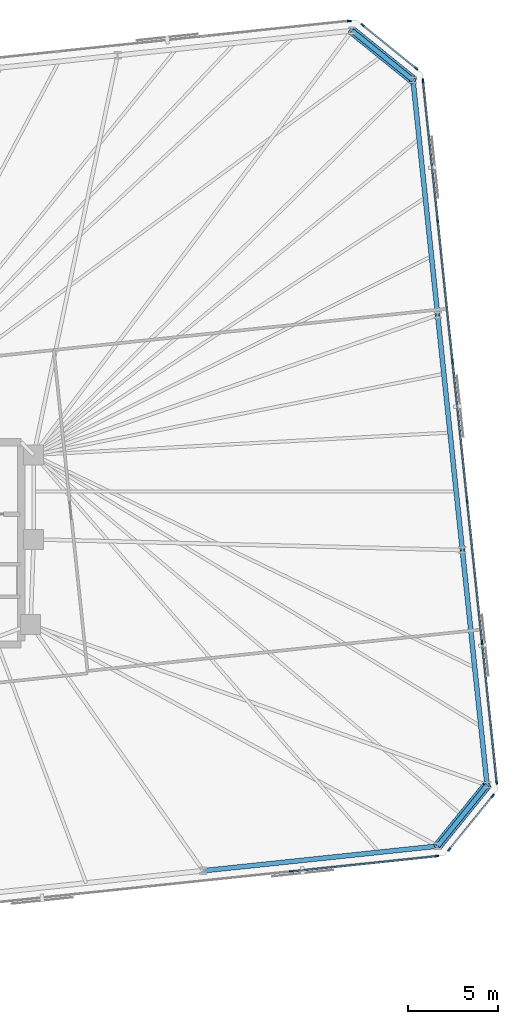
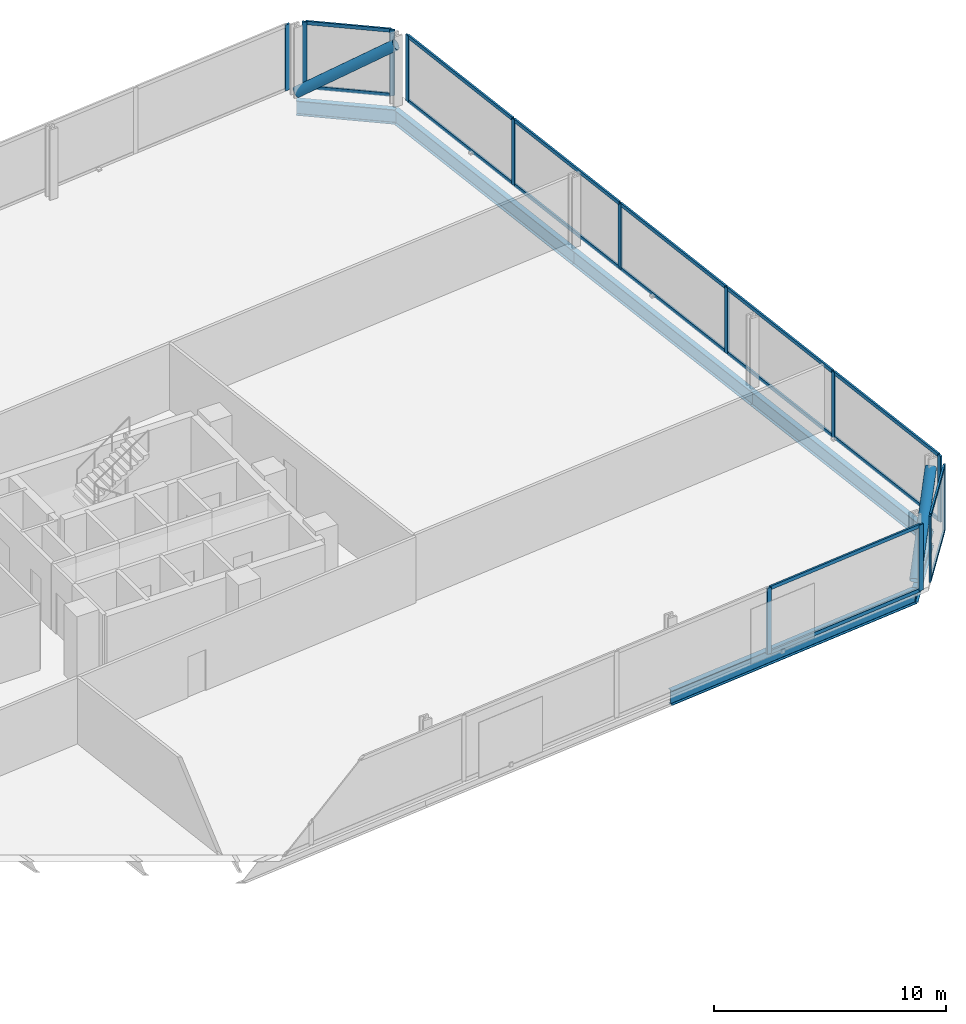
# One storey, part 12 of 17: 31 members, 6 beams, 5 elements without a shape of their own.
"""IFC4 building model written with IfcOpenShell, lengths in metres."""

from ifc_helpers import new_model, si_unit, direction, frame, origin, origin_2d, place, context, subcontext, project, spatial, rectangle, hollow_circle, i_section, extrude, material, material_profile, profile_set, type_object, element, aggregate, save


model = new_model("IFC4")

# Units and contexts
model_context = context("Model", 3, precision=1e-05, world=origin(), true_north=direction((0.0, 1.0)))
body_context = subcontext(model_context, "Body", "Model", "MODEL_VIEW")
ifc_project = project(units=[si_unit("LENGTHUNIT", "METRE"), si_unit("AREAUNIT", "SQUARE_METRE"), si_unit("VOLUMEUNIT", "CUBIC_METRE"), si_unit("PLANEANGLEUNIT", "RADIAN"), si_unit("MASSUNIT", "GRAM", prefix="KILO")], contexts=[model_context])

# Site, building, storey
site_placement = place(None, origin())
site = spatial("IfcSite", under=ifc_project, at=site_placement, CompositionType="ELEMENT")
building_placement = place(site_placement, origin())
building = spatial("IfcBuilding", under=site, at=building_placement, Name="Menara Jurai Vektor", CompositionType="ELEMENT")
storey_placement = place(building_placement, frame((0.0, 0.0, 87.39990234375)))
storey = spatial("IfcBuildingStorey", under=building, at=storey_placement, Name="L21", CompositionType="ELEMENT", Elevation=87.39990234375)

# Curtain wall, members
ifc_material_1 = material(Name="Anodised Pale Aluminium & Low-E Double Glazing", Category="aluminium")
curtain_wall_type = type_object("IfcCurtainWallType", Name="CW-BLK2", PredefinedType="NOTDEFINED", material=ifc_material_1)
curtain_wall_1_placement = place(storey_placement, origin())
curtain_wall_1 = element("IfcCurtainWall", 1, at=curtain_wall_1_placement, inside=storey, type_object=curtain_wall_type, Name="Unitised Curtain Wall L21 F01", PredefinedType="NOTDEFINED")
ifc_material_2 = material(Name="Anodised Pale Aluminium Mullion", Category="aluminium")
ifc_material_profile_1 = material_profile(ifc_material_2, rectangle(XDim=0.090087890625, YDim=0.219970703125, at=origin_2d()), Name="ALU MUL 90x220")
ifc_profile_set_1 = profile_set([ifc_material_profile_1], Name="Anodised Pale Aluminium Mullion")
member_type_1 = type_object("IfcMemberType", Name="CW-BLK2-MUL", PredefinedType="MULLION", material=ifc_profile_set_1)
member_1_placement = place(storey_placement, frame((29.52392578125, -18.169189453125, 0.0), z_axis=(0.0, 0.0, 1.0), x_axis=(-0.104528634935, 0.994521877325, 0.0)))
member_1 = element("IfcMember", 2, at=member_1_placement, type_object=member_type_1, Name="CW-02 mullion 8", PredefinedType="MULLION", context=body_context, shape_type="SweptSolid", body=[
    extrude(rectangle(XDim=0.090087890625, YDim=0.219970703125, at=origin_2d()), origin(), (0.0, 0.0, 1.0), 3.47509765625),
])
member_2_placement = place(storey_placement, frame((37.5771484375, -17.32275390625, 0.0), z_axis=(0.0, 0.0, 1.0), x_axis=(-0.104528634935, 0.994521877325, 0.0)))
member_2 = element("IfcMember", 3, at=member_2_placement, type_object=member_type_1, Name="CW-02 mullion 9", PredefinedType="MULLION", context=body_context, shape_type="SweptSolid", body=[
    extrude(rectangle(XDim=0.090087890625, YDim=0.219970703125, at=origin_2d()), origin(), (0.0, 0.0, 1.0), 3.47509765625),
])

curtain_wall_2_placement = place(storey_placement, origin())
curtain_wall_2 = element("IfcCurtainWall", 4, at=curtain_wall_2_placement, inside=storey, type_object=curtain_wall_type, Name="Unitised Curtain Wall L21 F02", PredefinedType="NOTDEFINED")
member_3_placement = place(storey_placement, frame((38.267333984375, -16.9482421875, 0.0), z_axis=(0.0, 0.0, 1.0), x_axis=(-0.777129222223, 0.62934106172, 0.0)))
member_3 = element("IfcMember", 5, at=member_3_placement, type_object=member_type_1, Name="CW-02 mullion 1", PredefinedType="MULLION", context=body_context, shape_type="SweptSolid", body=[
    extrude(rectangle(XDim=0.090087890625, YDim=0.219970703125, at=origin_2d()), origin(), (0.0, 0.0, 1.0), 3.47509765625),
])
member_4_placement = place(storey_placement, frame((40.66943359375, -13.98193359375, 0.0), z_axis=(0.0, 0.0, 1.0), x_axis=(-0.777129222223, 0.62934106172, 0.0)))
member_4 = element("IfcMember", 6, at=member_4_placement, type_object=member_type_1, Name="CW-02 mullion 2", PredefinedType="MULLION", context=body_context, shape_type="SweptSolid", body=[
    extrude(rectangle(XDim=0.090087890625, YDim=0.219970703125, at=origin_2d()), origin(), (0.0, 0.0, 1.0), 3.47509765625),
])

curtain_wall_3_placement = place(storey_placement, origin())
curtain_wall_3 = element("IfcCurtainWall", 7, at=curtain_wall_3_placement, inside=storey, type_object=curtain_wall_type, Name="Unitised Curtain Wall L21 F03", PredefinedType="NOTDEFINED")
member_5_placement = place(storey_placement, frame((40.892333984375, -13.22900390625, 0.0), z_axis=(0.0, 0.0, 1.0), x_axis=(-0.99452177832, -0.104529576902, 0.0)))
member_5 = element("IfcMember", 8, at=member_5_placement, type_object=member_type_1, Name="CW-02 mullion 1", PredefinedType="MULLION", context=body_context, shape_type="SweptSolid", body=[
    extrude(rectangle(XDim=0.090087890625, YDim=0.219970703125, at=origin_2d()), origin(), (0.0, 0.0, 1.0), 3.47509765625),
])
member_6_placement = place(storey_placement, frame((40.078857421875, -5.488525390625, 0.0), z_axis=(0.0, 0.0, 1.0), x_axis=(-0.99452177832, -0.104529576902, 0.0)))
member_6 = element("IfcMember", 9, at=member_6_placement, type_object=member_type_1, Name="CW-02 mullion 2", PredefinedType="MULLION", context=body_context, shape_type="SweptSolid", body=[
    extrude(rectangle(XDim=0.090087890625, YDim=0.219970703125, at=origin_2d()), origin(), (0.0, 0.0, 1.0), 3.47509765625),
])
member_7_placement = place(storey_placement, frame((39.260498046875, 2.296630859375, 0.0), z_axis=(0.0, 0.0, 1.0), x_axis=(-0.99452177832, -0.104529576902, 0.0)))
member_7 = element("IfcMember", 10, at=member_7_placement, type_object=member_type_1, Name="CW-02 mullion 3", PredefinedType="MULLION", context=body_context, shape_type="SweptSolid", body=[
    extrude(rectangle(XDim=0.090087890625, YDim=0.219970703125, at=origin_2d()), origin(), (0.0, 0.0, 1.0), 3.47509765625),
])
member_8_placement = place(storey_placement, frame((38.4423828125, 10.081787109375, 0.0), z_axis=(0.0, 0.0, 1.0), x_axis=(-0.99452177832, -0.104529576902, 0.0)))
member_8 = element("IfcMember", 11, at=member_8_placement, type_object=member_type_1, Name="CW-02 mullion 4", PredefinedType="MULLION", context=body_context, shape_type="SweptSolid", body=[
    extrude(rectangle(XDim=0.090087890625, YDim=0.219970703125, at=origin_2d()), origin(), (0.0, 0.0, 1.0), 3.47509765625),
])
member_9_placement = place(storey_placement, frame((37.6240234375, 17.866943359375, 0.0), z_axis=(0.0, 0.0, 1.0), x_axis=(-0.99452177832, -0.104529576902, 0.0)))
member_9 = element("IfcMember", 12, at=member_9_placement, type_object=member_type_1, Name="CW-02 mullion 5", PredefinedType="MULLION", context=body_context, shape_type="SweptSolid", body=[
    extrude(rectangle(XDim=0.090087890625, YDim=0.219970703125, at=origin_2d()), origin(), (0.0, 0.0, 1.0), 3.47509765625),
])
member_10_placement = place(storey_placement, frame((36.810546875, 25.607177734375, 0.0), z_axis=(0.0, 0.0, 1.0), x_axis=(-0.99452177832, -0.104529576902, 0.0)))
member_10 = element("IfcMember", 13, at=member_10_placement, type_object=member_type_1, Name="CW-02 mullion 6", PredefinedType="MULLION", context=body_context, shape_type="SweptSolid", body=[
    extrude(rectangle(XDim=0.090087890625, YDim=0.219970703125, at=origin_2d()), origin(), (0.0, 0.0, 1.0), 3.47509765625),
])

curtain_wall_4_placement = place(storey_placement, origin())
curtain_wall_4 = element("IfcCurtainWall", 14, at=curtain_wall_4_placement, inside=storey, type_object=curtain_wall_type, Name="Unitised Curtain Wall L21 F04", PredefinedType="NOTDEFINED")
member_11_placement = place(storey_placement, frame((36.435791015625, 26.29736328125, 0.0), z_axis=(0.0, 0.0, 1.0), x_axis=(-0.629313085353, -0.777151877437, 0.0)))
member_11 = element("IfcMember", 15, at=member_11_placement, type_object=member_type_1, Name="CW-02 mullion 1", PredefinedType="MULLION", context=body_context, shape_type="SweptSolid", body=[
    extrude(rectangle(XDim=0.090087890625, YDim=0.219970703125, at=origin_2d()), origin(), (0.0, 0.0, 1.0), 3.47509765625),
])
member_12_placement = place(storey_placement, frame((33.469482421875, 28.699462890625, 0.0), z_axis=(0.0, 0.0, 1.0), x_axis=(-0.629313085353, -0.777151877437, 0.0)))
member_12 = element("IfcMember", 16, at=member_12_placement, type_object=member_type_1, Name="CW-02 mullion 2", PredefinedType="MULLION", context=body_context, shape_type="SweptSolid", body=[
    extrude(rectangle(XDim=0.090087890625, YDim=0.219970703125, at=origin_2d()), origin(), (0.0, 0.0, 1.0), 3.47509765625),
])

# Curtain wall, member
curtain_wall_5_placement = place(storey_placement, origin())
curtain_wall_5 = element("IfcCurtainWall", 17, at=curtain_wall_5_placement, inside=storey, type_object=curtain_wall_type, Name="Unitised Curtain Wall L21 F05", PredefinedType="NOTDEFINED")
member_13_placement = place(storey_placement, frame((32.716552734375, 28.92236328125, 0.0), z_axis=(0.0, 0.0, 1.0), x_axis=(0.104528634935, -0.994521877325, 0.0)))
member_13 = element("IfcMember", 18, at=member_13_placement, type_object=member_type_1, Name="CW-02 mullion 1", PredefinedType="MULLION", context=body_context, shape_type="SweptSolid", body=[
    extrude(rectangle(XDim=0.090087890625, YDim=0.219970703125, at=origin_2d()), origin(), (0.0, 0.0, 1.0), 3.47509765625),
])
aggregate(curtain_wall_5, [member_13])

# Member
ifc_material_3 = material(Name="Anodised Pale Aluminium Transom", Category="aluminium")
ifc_material_profile_2 = material_profile(ifc_material_3, rectangle(XDim=0.090087890625, YDim=0.18505859375, at=origin_2d()), Name="ALU TRN 90x185")
ifc_profile_set_2 = profile_set([ifc_material_profile_2], Name="Anodised Pale Aluminium Transom")
member_type_2 = type_object("IfcMemberType", Name="CW-BLK2-TRN", PredefinedType="USERDEFINED", material=ifc_profile_set_2)
member_14_placement = place(storey_placement, frame((29.56884765625, -18.16455078125, 0.045166015625), z_axis=(0.994519977808, 0.104546706027, 0.0), x_axis=(-0.104546706027, 0.994519977808, 0.0)))
member_14 = element("IfcMember", 19, at=member_14_placement, type_object=member_type_2, Name="CW-02 transom 8.1", ObjectType="TRANSOM", PredefinedType="USERDEFINED", context=body_context, shape_type="SweptSolid", body=[
    extrude(rectangle(XDim=0.090087890625, YDim=0.18505859375, at=origin_2d()), origin(), (0.0, 0.0, 1.0), 8.007568359375),
])

member_15_placement = place(storey_placement, frame((29.56884765625, -18.16455078125, 3.43017578125), z_axis=(0.994519977808, 0.104546706027, 0.0), x_axis=(-0.104546706027, 0.994519977808, 0.0)))
member_15 = element("IfcMember", 20, at=member_15_placement, type_object=member_type_2, Name="CW-02 transom 8.2", ObjectType="TRANSOM", PredefinedType="USERDEFINED", context=body_context, shape_type="SweptSolid", body=[
    extrude(rectangle(XDim=0.090087890625, YDim=0.18505859375, at=origin_2d()), origin(), (0.0, 0.0, 1.0), 8.007568359375),
])

aggregate(curtain_wall_1, [member_1, member_2, member_14, member_15])

member_16_placement = place(storey_placement, frame((38.295654296875, -16.9130859375, 0.045166015625), z_axis=(0.6293414396, 0.777128916205, 0.0), x_axis=(-0.777128916205, 0.6293414396, 0.0)))
member_16 = element("IfcMember", 21, at=member_16_placement, type_object=member_type_2, Name="CW-02 transom 1.1", ObjectType="TRANSOM", PredefinedType="USERDEFINED", context=body_context, shape_type="SweptSolid", body=[
    extrude(rectangle(XDim=0.090087890625, YDim=0.18505859375, at=origin_2d()), origin(), (0.0, 0.0, 1.0), 3.726806640625),
])

member_17_placement = place(storey_placement, frame((38.295654296875, -16.9130859375, 3.43017578125), z_axis=(0.6293414396, 0.777128916205, 0.0), x_axis=(-0.777128916205, 0.6293414396, 0.0)))
member_17 = element("IfcMember", 22, at=member_17_placement, type_object=member_type_2, Name="CW-02 transom 1.2", ObjectType="TRANSOM", PredefinedType="USERDEFINED", context=body_context, shape_type="SweptSolid", body=[
    extrude(rectangle(XDim=0.090087890625, YDim=0.18505859375, at=origin_2d()), origin(), (0.0, 0.0, 1.0), 3.726806640625),
])

aggregate(curtain_wall_2, [member_3, member_4, member_16, member_17])

member_18_placement = place(storey_placement, frame((40.8876953125, -13.18408203125, 0.045166015625), z_axis=(-0.104536105602, 0.994521092097, 0.0), x_axis=(-0.994521092097, -0.104536105602, 0.0)))
member_18 = element("IfcMember", 23, at=member_18_placement, type_object=member_type_2, Name="CW-02 transom 1.1", ObjectType="TRANSOM", PredefinedType="USERDEFINED", context=body_context, shape_type="SweptSolid", body=[
    extrude(rectangle(XDim=0.090087890625, YDim=0.18505859375, at=origin_2d()), origin(), (0.0, 0.0, 1.0), 7.693115234375),
])

member_19_placement = place(storey_placement, frame((40.8876953125, -13.18408203125, 3.43017578125), z_axis=(-0.104536105602, 0.994521092097, 0.0), x_axis=(-0.994521092097, -0.104536105602, 0.0)))
member_19 = element("IfcMember", 24, at=member_19_placement, type_object=member_type_2, Name="CW-02 transom 1.2", ObjectType="TRANSOM", PredefinedType="USERDEFINED", context=body_context, shape_type="SweptSolid", body=[
    extrude(rectangle(XDim=0.090087890625, YDim=0.18505859375, at=origin_2d()), origin(), (0.0, 0.0, 1.0), 7.693115234375),
])

member_20_placement = place(storey_placement, frame((40.07421875, -5.44384765625, 0.045166015625), z_axis=(-0.104528756613, 0.994521864536, 0.0), x_axis=(-0.994521864536, -0.104528756613, 0.0)))
member_20 = element("IfcMember", 25, at=member_20_placement, type_object=member_type_2, Name="CW-02 transom 2.1", ObjectType="TRANSOM", PredefinedType="USERDEFINED", context=body_context, shape_type="SweptSolid", body=[
    extrude(rectangle(XDim=0.090087890625, YDim=0.18505859375, at=origin_2d()), origin(), (0.0, 0.0, 1.0), 7.738037109375),
])

member_21_placement = place(storey_placement, frame((40.07421875, -5.44384765625, 3.43017578125), z_axis=(-0.104528756613, 0.994521864536, 0.0), x_axis=(-0.994521864536, -0.104528756613, 0.0)))
member_21 = element("IfcMember", 26, at=member_21_placement, type_object=member_type_2, Name="CW-02 transom 2.2", ObjectType="TRANSOM", PredefinedType="USERDEFINED", context=body_context, shape_type="SweptSolid", body=[
    extrude(rectangle(XDim=0.090087890625, YDim=0.18505859375, at=origin_2d()), origin(), (0.0, 0.0, 1.0), 7.738037109375),
])

member_22_placement = place(storey_placement, frame((39.255859375, 2.34130859375, 0.045166015625), z_axis=(-0.104528756613, 0.994521864536, 0.0), x_axis=(-0.994521864536, -0.104528756613, 0.0)))
member_22 = element("IfcMember", 27, at=member_22_placement, type_object=member_type_2, Name="CW-02 transom 3.1", ObjectType="TRANSOM", PredefinedType="USERDEFINED", context=body_context, shape_type="SweptSolid", body=[
    extrude(rectangle(XDim=0.090087890625, YDim=0.18505859375, at=origin_2d()), origin(), (0.0, 0.0, 1.0), 7.738037109375),
])

member_23_placement = place(storey_placement, frame((39.255859375, 2.34130859375, 3.43017578125), z_axis=(-0.104528756613, 0.994521864536, 0.0), x_axis=(-0.994521864536, -0.104528756613, 0.0)))
member_23 = element("IfcMember", 28, at=member_23_placement, type_object=member_type_2, Name="CW-02 transom 3.2", ObjectType="TRANSOM", PredefinedType="USERDEFINED", context=body_context, shape_type="SweptSolid", body=[
    extrude(rectangle(XDim=0.090087890625, YDim=0.18505859375, at=origin_2d()), origin(), (0.0, 0.0, 1.0), 7.738037109375),
])

member_24_placement = place(storey_placement, frame((38.4375, 10.12646484375, 0.045166015625), z_axis=(-0.104528756613, 0.994521864536, 0.0), x_axis=(-0.994521864536, -0.104528756613, 0.0)))
member_24 = element("IfcMember", 29, at=member_24_placement, type_object=member_type_2, Name="CW-02 transom 4.1", ObjectType="TRANSOM", PredefinedType="USERDEFINED", context=body_context, shape_type="SweptSolid", body=[
    extrude(rectangle(XDim=0.090087890625, YDim=0.18505859375, at=origin_2d()), origin(), (0.0, 0.0, 1.0), 7.738037109375),
])

member_25_placement = place(storey_placement, frame((38.4375, 10.12646484375, 3.43017578125), z_axis=(-0.104528756613, 0.994521864536, 0.0), x_axis=(-0.994521864536, -0.104528756613, 0.0)))
member_25 = element("IfcMember", 30, at=member_25_placement, type_object=member_type_2, Name="CW-02 transom 4.2", ObjectType="TRANSOM", PredefinedType="USERDEFINED", context=body_context, shape_type="SweptSolid", body=[
    extrude(rectangle(XDim=0.090087890625, YDim=0.18505859375, at=origin_2d()), origin(), (0.0, 0.0, 1.0), 7.738037109375),
])

member_26_placement = place(storey_placement, frame((37.619384765625, 17.91162109375, 0.045166015625), z_axis=(-0.104536105602, 0.994521092097, 0.0), x_axis=(-0.994521092097, -0.104536105602, 0.0)))
member_26 = element("IfcMember", 31, at=member_26_placement, type_object=member_type_2, Name="CW-02 transom 5.1", ObjectType="TRANSOM", PredefinedType="USERDEFINED", context=body_context, shape_type="SweptSolid", body=[
    extrude(rectangle(XDim=0.090087890625, YDim=0.18505859375, at=origin_2d()), origin(), (0.0, 0.0, 1.0), 7.693115234375),
])

member_27_placement = place(storey_placement, frame((37.619384765625, 17.91162109375, 3.43017578125), z_axis=(-0.104536105602, 0.994521092097, 0.0), x_axis=(-0.994521092097, -0.104536105602, 0.0)))
member_27 = element("IfcMember", 32, at=member_27_placement, type_object=member_type_2, Name="CW-02 transom 5.2", ObjectType="TRANSOM", PredefinedType="USERDEFINED", context=body_context, shape_type="SweptSolid", body=[
    extrude(rectangle(XDim=0.090087890625, YDim=0.18505859375, at=origin_2d()), origin(), (0.0, 0.0, 1.0), 7.693115234375),
])

aggregate(curtain_wall_3, [member_5, member_6, member_7, member_8, member_9, member_10, member_18, member_19, member_20, member_21, member_22, member_23, member_24, member_25, member_26, member_27])

member_28_placement = place(storey_placement, frame((36.40087890625, 26.32568359375, 0.045166015625), z_axis=(-0.77715486027, 0.629309401772, 0.0), x_axis=(-0.629309401772, -0.77715486027, 0.0)))
member_28 = element("IfcMember", 33, at=member_28_placement, type_object=member_type_2, Name="CW-02 transom 1.1", ObjectType="TRANSOM", PredefinedType="USERDEFINED", context=body_context, shape_type="SweptSolid", body=[
    extrude(rectangle(XDim=0.090087890625, YDim=0.18505859375, at=origin_2d()), origin(), (0.0, 0.0, 1.0), 3.72705078125),
])

member_29_placement = place(storey_placement, frame((36.40087890625, 26.32568359375, 3.43017578125), z_axis=(-0.77715486027, 0.629309401772, 0.0), x_axis=(-0.629309401772, -0.77715486027, 0.0)))
member_29 = element("IfcMember", 34, at=member_29_placement, type_object=member_type_2, Name="CW-02 transom 1.2", ObjectType="TRANSOM", PredefinedType="USERDEFINED", context=body_context, shape_type="SweptSolid", body=[
    extrude(rectangle(XDim=0.090087890625, YDim=0.18505859375, at=origin_2d()), origin(), (0.0, 0.0, 1.0), 3.72705078125),
])

aggregate(curtain_wall_4, [member_11, member_12, member_28, member_29])

# Members
ifc_material_4 = material(Name="Steel S460", Category="steel")
ifc_material_profile_3 = material_profile(ifc_material_4, hollow_circle(Radius=0.25390625, WallThickness=0.02001953125, at=origin_2d()), Name="CHS 508x20")
ifc_profile_set_3 = profile_set([ifc_material_profile_3], Name="Steel S460")
member_type_3 = type_object("IfcMemberType", Name="STR-BR-508", PredefinedType="BRACE", material=ifc_profile_set_3)
for number, where, z_axis, x_axis, name in (
    (35, (37.621826171875, -16.76513671875, 0.150146484375), (0.51928532157, 0.641224642617, 0.564954611011), (-0.777127086072, 0.629343699494, 0.0), "Exoskeleton Corner Brace L21-1"),
    (36, (32.876220703125, 28.38623046875, 0.150146484375), (0.641224642617, -0.51928532157, 0.564954611011), (0.629343699494, 0.777127086072, 0.0), "Exoskeleton Corner Brace L21-2"),
):
    element("IfcMember", number, at=place(storey_placement, frame(where, z_axis=z_axis, x_axis=x_axis)), inside=storey, type_object=member_type_3, Name=name, PredefinedType="BRACE", context=body_context, shape_type="SweptSolid", body=[
        extrude(hollow_circle(Radius=0.25390625, WallThickness=0.02001953125, at=origin_2d()), origin(), (0.0, 0.0, 1.0), 5.265625),
    ])

# Beams
ifc_material_profile_4 = material_profile(ifc_material_4, i_section(OverallWidth=0.26806640625, OverallDepth=0.77001953125, WebThickness=0.01611328125, FlangeThickness=0.02490234375, FilletRadius=0.01708984375, at=origin_2d()), Name="UKB 762x267x197")
ifc_profile_set_4 = profile_set([ifc_material_profile_4], Name="Steel S460")
beam_type = type_object("IfcBeamType", Name="STR-SP-762", PredefinedType="SPANDREL", material=ifc_profile_set_4)
beam_1_placement = place(storey_placement, frame((24.64208984375, -18.12939453125, -0.60986328125), z_axis=(0.994521636083, 0.104530930169, 0.0), x_axis=(-0.104530930169, 0.994521636083, 0.0)))
element("IfcBeam", 37, at=beam_1_placement, inside=storey, type_object=beam_type, Name="Exoskeleton Spandrel Beam L21-05", PredefinedType="SPANDREL", context=body_context, shape_type="SweptSolid", body=[
    extrude(i_section(OverallWidth=0.26806640625, OverallDepth=0.77001953125, WebThickness=0.01611328125, FlangeThickness=0.02490234375, FilletRadius=0.01708984375, at=origin_2d()), origin(), (0.0, 0.0, 1.0), 13.05126953125),
])
beam_2_placement = place(storey_placement, frame((37.621826171875, -16.76513671875, -0.60986328125), z_axis=(0.629343699494, 0.777127086072, 0.0), x_axis=(-0.777127086072, 0.629343699494, 0.0)))
element("IfcBeam", 38, at=beam_2_placement, inside=storey, type_object=beam_type, Name="Exoskeleton Spandrel Beam L21-06", PredefinedType="SPANDREL", context=body_context, shape_type="SweptSolid", body=[
    extrude(i_section(OverallWidth=0.26806640625, OverallDepth=0.77001953125, WebThickness=0.01611328125, FlangeThickness=0.02490234375, FilletRadius=0.01708984375, at=origin_2d()), origin(), (0.0, 0.0, 1.0), 4.3447265625),
])
beam_3_placement = place(storey_placement, frame((40.356201171875, -13.388671875, -0.60986328125), z_axis=(-0.104538130097, 0.994520879296, 0.0), x_axis=(-0.994520879296, -0.104538130097, 0.0)))
element("IfcBeam", 39, at=beam_3_placement, inside=storey, type_object=beam_type, Name="Exoskeleton Spandrel Beam L21-07", PredefinedType="SPANDREL", context=body_context, shape_type="SweptSolid", body=[
    extrude(i_section(OverallWidth=0.26806640625, OverallDepth=0.77001953125, WebThickness=0.01611328125, FlangeThickness=0.02490234375, FilletRadius=0.01708984375, at=origin_2d()), origin(), (0.0, 0.0, 1.0), 13.08544921875),
])
beam_4_placement = place(storey_placement, frame((38.98828125, -0.375, -0.60986328125), z_axis=(-0.104521615846, 0.994522615037, 0.0), x_axis=(-0.994522615037, -0.104521615846, 0.0)))
element("IfcBeam", 40, at=beam_4_placement, inside=storey, type_object=beam_type, Name="Exoskeleton Spandrel Beam L21-08", PredefinedType="SPANDREL", context=body_context, shape_type="SweptSolid", body=[
    extrude(i_section(OverallWidth=0.26806640625, OverallDepth=0.77001953125, WebThickness=0.01611328125, FlangeThickness=0.02490234375, FilletRadius=0.01708984375, at=origin_2d()), origin(), (0.0, 0.0, 1.0), 13.085205078125),
])
beam_5_placement = place(storey_placement, frame((37.62060546875, 12.638427734375, -0.60986328125), z_axis=(-0.104538130097, 0.994520879296, 0.0), x_axis=(-0.994520879296, -0.104538130097, 0.0)))
element("IfcBeam", 41, at=beam_5_placement, inside=storey, type_object=beam_type, Name="Exoskeleton Spandrel Beam L21-09", PredefinedType="SPANDREL", context=body_context, shape_type="SweptSolid", body=[
    extrude(i_section(OverallWidth=0.26806640625, OverallDepth=0.77001953125, WebThickness=0.01611328125, FlangeThickness=0.02490234375, FilletRadius=0.01708984375, at=origin_2d()), origin(), (0.0, 0.0, 1.0), 13.08544921875),
])
beam_6_placement = place(storey_placement, frame((36.252685546875, 25.652099609375, -0.60986328125), z_axis=(-0.777154568396, 0.629309762217, 0.0), x_axis=(-0.629309762217, -0.777154568396, 0.0)))
element("IfcBeam", 42, at=beam_6_placement, inside=storey, type_object=beam_type, Name="Exoskeleton Spandrel Beam L21-10", PredefinedType="SPANDREL", context=body_context, shape_type="SweptSolid", body=[
    extrude(i_section(OverallWidth=0.26806640625, OverallDepth=0.77001953125, WebThickness=0.01611328125, FlangeThickness=0.02490234375, FilletRadius=0.01708984375, at=origin_2d()), origin(), (0.0, 0.0, 1.0), 4.3447265625),
])

save(model, "model.ifc")
